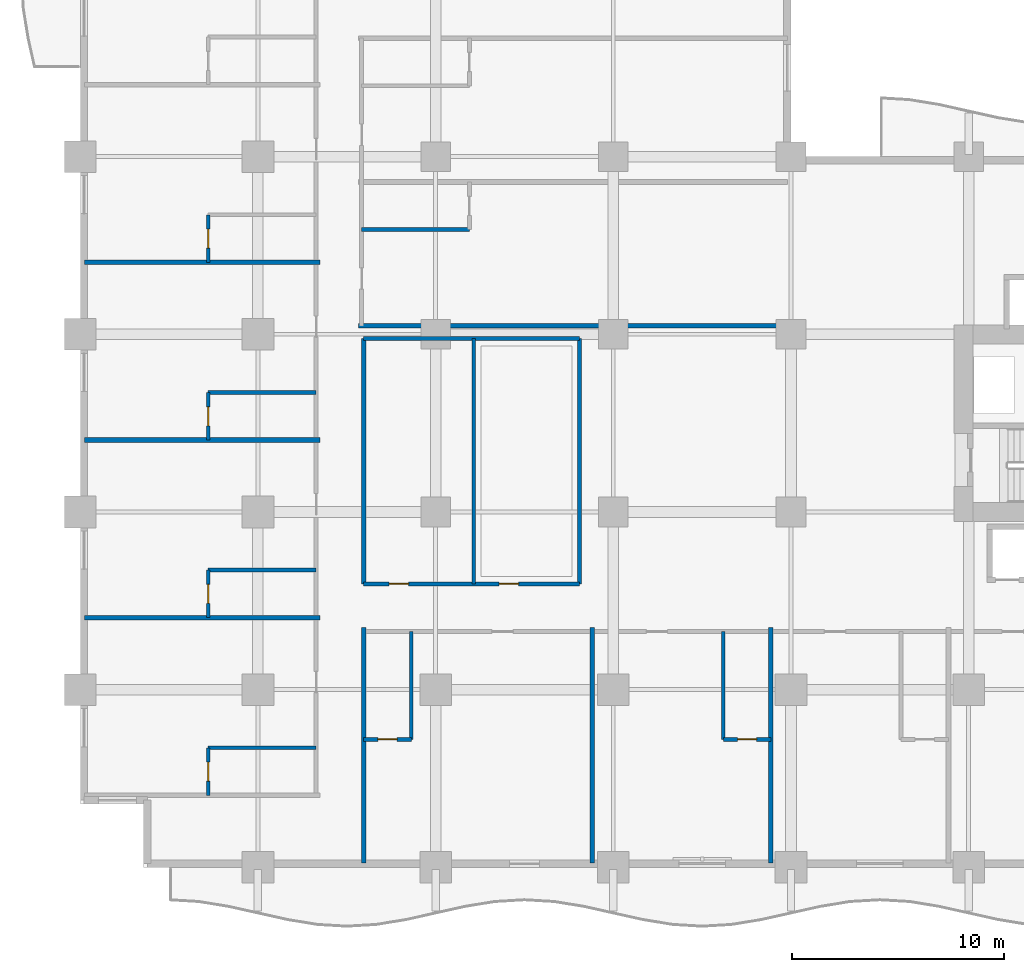
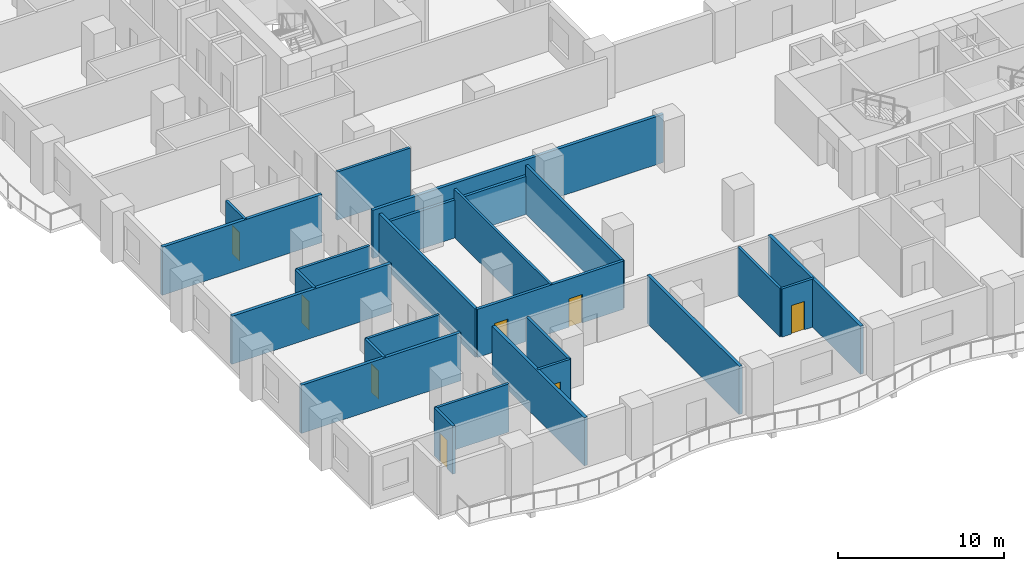
# One storey, part 10 of 26: 24 walls, 8 doors, 8 openings.
"""IFC4 building model written with IfcOpenShell, lengths in metres."""

from ifc_helpers import new_model, si_unit, direction, frame, frame_2d, origin, place, context, subcontext, project, spatial, rectangle, extrude, material, layer, layer_set, type_object, element, fill, save


model = new_model("IFC4")

# Units and contexts
model_context = context("Model", 3, precision=1e-05, world=origin(), true_north=direction((0.0, 1.0)))
body_context = subcontext(model_context, "Body", "Model", "MODEL_VIEW")
ifc_project = project(units=[si_unit("LENGTHUNIT", "METRE"), si_unit("AREAUNIT", "SQUARE_METRE"), si_unit("VOLUMEUNIT", "CUBIC_METRE"), si_unit("PLANEANGLEUNIT", "RADIAN"), si_unit("MASSUNIT", "GRAM", prefix="KILO")], contexts=[model_context])

# Site, building, storey
site_placement = place(None, origin())
site = spatial("IfcSite", under=ifc_project, at=site_placement, CompositionType="ELEMENT")
building_placement = place(site_placement, origin())
building = spatial("IfcBuilding", under=site, at=building_placement, Name="Koriwani Terraces Tower", CompositionType="ELEMENT")
storey_placement = place(building_placement, frame((0.0, 0.0, 39.60009765625)))
storey = spatial("IfcBuildingStorey", under=building, at=storey_placement, Name="L08", CompositionType="ELEMENT", Elevation=39.60009765625)

# Wall, openings, doors
ifc_material_1 = material(Name="Autoclaved Cellular Concrete Blockwork", Category="masonry")
ifc_layer_1 = layer(ifc_material_1, 0.199951171875, Name="Autoclaved Cellular Concrete Blockwork")
ifc_layer_set_1 = layer_set([ifc_layer_1], Name="Autoclaved Cellular Concrete Blockwork")
wall_type_1 = type_object("IfcWallType", Name="WALL_CORRIDOR_200", PredefinedType="PARTITIONING", material=ifc_layer_set_1)
wall_1_placement = place(storey_placement, frame((13.39990234375, 13.39990234375, 0.0), z_axis=(0.0, 0.0, 1.0), x_axis=(1.0, 0.0, 0.0)))
wall_1 = element("IfcWall", 1, at=wall_1_placement, inside=storey, type_object=wall_type_1, Name="L08 Interior Wall WHK-L08-S", PredefinedType="PARTITIONING", context=body_context, shape_type="SweptSolid", body=[
    extrude(rectangle(XDim=10.2001953125, YDim=0.199951171875, at=frame_2d((5.10009765625, 0.0))), origin(), (0.0, 0.0, 1.0), 3.5498046875),
])
opening_1_placement = place(wall_1_placement, frame((1.199951171875, 0.0, 0.0)))
opening_1 = element("IfcOpeningElement", 2, at=opening_1_placement, cuts=wall_1, Name="Opening D-06", PredefinedType="OPENING", context=body_context, shape_type="SweptSolid", body=[
    extrude(rectangle(XDim=0.919921875, YDim=2.10009765625, at=frame_2d((0.4599609375, 1.050048828125))), frame((0.0, 0.10986328125, 0.0), z_axis=(0.0, -1.0, 0.0), x_axis=(1.0, 0.0, 0.0)), (0.0, 0.0, 1.0), 0.219970703125),
])
opening_2_placement = place(wall_1_placement, frame((6.39990234375, 0.0, 0.0)))
opening_2 = element("IfcOpeningElement", 3, at=opening_2_placement, cuts=wall_1, Name="Opening D-06", PredefinedType="OPENING", context=body_context, shape_type="SweptSolid", body=[
    extrude(rectangle(XDim=0.919921875, YDim=2.10009765625, at=frame_2d((0.4599609375, 1.050048828125))), frame((0.0, 0.10986328125, 0.0), z_axis=(0.0, -1.0, 0.0), x_axis=(1.0, 0.0, 0.0)), (0.0, 0.0, 1.0), 0.219970703125),
])
ifc_material_2 = material(Name="Architectural Oak Fire Door", Category="wood")
door_type_1 = type_object("IfcDoorType", Name="DOOR_ROOM_INT_920X2100", OperationType="NOTDEFINED", PredefinedType="DOOR", material=ifc_material_2)
door_1_placement = place(opening_1_placement, origin())
door_1 = element("IfcDoor", 4, at=door_1_placement, inside=storey, type_object=door_type_1, Name="L08 Housekeeping and Linen Room Door", OperationType="SINGLE_SWING_RIGHT", OverallHeight=2.10009765625, OverallWidth=0.919921875, PredefinedType="DOOR", context=body_context, shape_type="SweptSolid", body=[
    extrude(rectangle(XDim=0.919921875, YDim=2.10009765625, at=frame_2d((0.4599609375, 1.050048828125))), frame((0.0, 0.02490234375, 0.0), z_axis=(0.0, -1.0, 0.0), x_axis=(1.0, 0.0, 0.0)), (0.0, 0.0, 1.0), 0.050048828125),
])
fill(opening_1, door_1)
door_2_placement = place(opening_2_placement, origin())
door_2 = element("IfcDoor", 5, at=door_2_placement, inside=storey, type_object=door_type_1, Name="L08 Guest Study Lounge Door", OperationType="SINGLE_SWING_LEFT", OverallHeight=2.10009765625, OverallWidth=0.919921875, PredefinedType="DOOR", context=body_context, shape_type="SweptSolid", body=[
    extrude(rectangle(XDim=0.919921875, YDim=2.10009765625, at=frame_2d((0.4599609375, 1.050048828125))), frame((0.0, 0.02490234375, 0.0), z_axis=(0.0, -1.0, 0.0), x_axis=(1.0, 0.0, 0.0)), (0.0, 0.0, 1.0), 0.050048828125),
])
fill(opening_2, door_2)

# Walls
wall_2_placement = place(storey_placement, frame((13.39990234375, 25.0, 0.0), z_axis=(0.0, 0.0, 1.0), x_axis=(1.0, 0.0, 0.0)))
element("IfcWall", 6, at=wall_2_placement, inside=storey, type_object=wall_type_1, Name="L08 Interior Wall WHK-L08-N", PredefinedType="PARTITIONING", context=body_context, shape_type="SweptSolid", body=[
    extrude(rectangle(XDim=10.2001953125, YDim=0.199951171875, at=frame_2d((5.10009765625, 0.0))), origin(), (0.0, 0.0, 1.0), 2.7998046875),
])
for number, where, z_axis, x_axis, name in (
    (7, (13.39990234375, 13.39990234375, 0.0), (0.0, 0.0, 1.0), (0.0, 1.0, 0.0), "L08 Interior Wall WHK-L08-W"),
    (8, (23.60009765625, 13.39990234375, 0.0), (0.0, 0.0, 1.0), (0.0, 1.0, 0.0), "L08 Interior Wall WHK-L08-E"),
):
    element("IfcWall", number, at=place(storey_placement, frame(where, z_axis=z_axis, x_axis=x_axis)), inside=storey, type_object=wall_type_1, Name=name, PredefinedType="PARTITIONING", context=body_context, shape_type="SweptSolid", body=[
        extrude(rectangle(XDim=11.60009765625, YDim=0.199951171875, at=frame_2d((5.800048828125, 0.0))), origin(), (0.0, 0.0, 1.0), 3.5498046875),
    ])
ifc_layer_2 = layer(ifc_material_1, 0.219970703125, Name="Autoclaved Cellular Concrete Blockwork")
ifc_layer_set_2 = layer_set([ifc_layer_2], Name="Autoclaved Cellular Concrete Blockwork")
wall_type_2 = type_object("IfcWallType", Name="WALL_DEMISING_220", PredefinedType="PARTITIONING", material=ifc_layer_set_2)
wall_3_placement = place(storey_placement, frame((13.14990234375, 25.60009765625, 0.0), z_axis=(0.0, 0.0, 1.0), x_axis=(1.0, 0.0, 0.0)))
element("IfcWall", 9, at=wall_3_placement, inside=storey, type_object=wall_type_2, Name="L08 Interior Wall WDEM-L08-NWI-0", PredefinedType="PARTITIONING", context=body_context, shape_type="SweptSolid", body=[
    extrude(rectangle(XDim=20.280029296875, YDim=0.219970703125, at=frame_2d((10.14013671875, 0.0))), origin(), (0.0, 0.0, 1.0), 3.5498046875),
])
for number, where, z_axis, x_axis, name in (
    (10, (0.199951171875, 11.800048828125, 0.0), (0.0, 0.0, 1.0), (1.0, 0.0, 0.0), "L08 Interior Wall WDEM-L08-NW-1"),
    (11, (0.199951171875, 20.199951171875, 0.0), (0.0, 0.0, 1.0), (1.0, 0.0, 0.0), "L08 Interior Wall WDEM-L08-NW-2"),
    (12, (0.199951171875, 28.60009765625, 0.0), (0.0, 0.0, 1.0), (1.0, 0.0, 0.0), "L08 Interior Wall WDEM-L08-NW-3"),
    (13, (13.39990234375, 0.199951171875, 0.0), (0.0, 0.0, 1.0), (0.0, 1.0, 0.0), "L08 Interior Wall WDEM-L08-SW-0"),
    (14, (24.199951171875, 0.199951171875, 0.0), (0.0, 0.0, 1.0), (0.0, 1.0, 0.0), "L08 Interior Wall WDEM-L08-SW-1"),
    (15, (32.64990234375, 0.199951171875, 0.0), (0.0, 0.0, 1.0), (0.0, 1.0, 0.0), "L08 Interior Wall WDEM-L08-SW-2"),
):
    element("IfcWall", number, at=place(storey_placement, frame(where, z_axis=z_axis, x_axis=x_axis)), inside=storey, type_object=wall_type_2, Name=name, PredefinedType="PARTITIONING", context=body_context, shape_type="SweptSolid", body=[
        extrude(rectangle(XDim=11.130126953125, YDim=0.219970703125, at=frame_2d((5.56494140625, 0.0))), origin(), (0.0, 0.0, 1.0), 3.5498046875),
    ])
ifc_material_3 = material(Name="Fire-Rated Acoustic Gypsum Partition", Category="masonry")
ifc_layer_3 = layer(ifc_material_3, 0.179931640625, Name="Fire-Rated Acoustic Gypsum Partition")
ifc_layer_set_3 = layer_set([ifc_layer_3], Name="Fire-Rated Acoustic Gypsum Partition")
wall_type_3 = type_object("IfcWallType", Name="WALL_PLUMBING_180", PredefinedType="PLUMBINGWALL", material=ifc_layer_set_3)
wall_4_placement = place(storey_placement, frame((13.300048828125, 30.14990234375, 0.0), z_axis=(0.0, 0.0, 1.0), x_axis=(1.0, 0.0, 0.0)))
element("IfcWall", 16, at=wall_4_placement, inside=storey, type_object=wall_type_3, Name="L08 Interior Wall WBTH2-L08-NWI-0", PredefinedType="PLUMBINGWALL", context=body_context, shape_type="SweptSolid", body=[
    extrude(rectangle(XDim=5.099853515625, YDim=0.179931640625, at=frame_2d((2.5498046875, 0.0))), origin(), (0.0, 0.0, 1.0), 3.5498046875),
])

# Wall, opening, door
wall_5_placement = place(storey_placement, frame((6.050048828125, 3.39990234375, 0.0), z_axis=(0.0, 0.0, 1.0), x_axis=(0.0, 1.0, 0.0)))
wall_5 = element("IfcWall", 17, at=wall_5_placement, inside=storey, type_object=wall_type_3, Name="L08 Interior Wall WBTH1-L08-NW-0", PredefinedType="PLUMBINGWALL", context=body_context, shape_type="SweptSolid", body=[
    extrude(rectangle(XDim=2.25, YDim=0.179931640625, at=frame_2d((1.125, 0.0))), origin(), (0.0, 0.0, 1.0), 3.5498046875),
])
opening_3_placement = place(wall_5_placement, frame((0.675048828125, 0.0, 0.0)))
opening_3 = element("IfcOpeningElement", 18, at=opening_3_placement, cuts=wall_5, Name="Opening D-07", PredefinedType="OPENING", context=body_context, shape_type="SweptSolid", body=[
    extrude(rectangle(XDim=0.89990234375, YDim=2.10009765625, at=frame_2d((0.449951171875, 1.050048828125))), frame((0.0, 0.10009765625, 0.0), z_axis=(0.0, -1.0, 0.0), x_axis=(1.0, 0.0, 0.0)), (0.0, 0.0, 1.0), 0.199951171875),
])
door_type_2 = type_object("IfcDoorType", Name="DOOR_BATH_INT_900X2100", OperationType="NOTDEFINED", PredefinedType="DOOR", material=ifc_material_2)
door_3_placement = place(opening_3_placement, origin())
door_3 = element("IfcDoor", 19, at=door_3_placement, inside=storey, type_object=door_type_2, Name="En-Suite Bathroom 08NW1 Door", OperationType="SINGLE_SWING_LEFT", OverallHeight=2.10009765625, OverallWidth=0.89990234375, PredefinedType="DOOR", context=body_context, shape_type="SweptSolid", body=[
    extrude(rectangle(XDim=0.89990234375, YDim=2.10009765625, at=frame_2d((0.449951171875, 1.050048828125))), frame((0.0, 0.02490234375, 0.0), z_axis=(0.0, -1.0, 0.0), x_axis=(1.0, 0.0, 0.0)), (0.0, 0.0, 1.0), 0.050048828125),
])
fill(opening_3, door_3)

# Wall
wall_6_placement = place(storey_placement, frame((6.050048828125, 5.64990234375, 0.0), z_axis=(0.0, 0.0, 1.0), x_axis=(1.0, 0.0, 0.0)))
element("IfcWall", 20, at=wall_6_placement, inside=storey, type_object=wall_type_3, Name="L08 Interior Wall WBTH2-L08-NW-0", PredefinedType="PLUMBINGWALL", context=body_context, shape_type="SweptSolid", body=[
    extrude(rectangle(XDim=5.099853515625, YDim=0.179931640625, at=frame_2d((2.5498046875, 0.0))), origin(), (0.0, 0.0, 1.0), 3.5498046875),
])

# Wall, opening, door
wall_7_placement = place(storey_placement, frame((6.050048828125, 11.800048828125, 0.0), z_axis=(0.0, 0.0, 1.0), x_axis=(0.0, 1.0, 0.0)))
wall_7 = element("IfcWall", 21, at=wall_7_placement, inside=storey, type_object=wall_type_3, Name="L08 Interior Wall WBTH1-L08-NW-1", PredefinedType="PLUMBINGWALL", context=body_context, shape_type="SweptSolid", body=[
    extrude(rectangle(XDim=2.25, YDim=0.179931640625, at=frame_2d((1.125, 0.0))), origin(), (0.0, 0.0, 1.0), 3.5498046875),
])
opening_4_placement = place(wall_7_placement, frame((0.675048828125, 0.0, 0.0)))
opening_4 = element("IfcOpeningElement", 22, at=opening_4_placement, cuts=wall_7, Name="Opening D-07", PredefinedType="OPENING", context=body_context, shape_type="SweptSolid", body=[
    extrude(rectangle(XDim=0.89990234375, YDim=2.10009765625, at=frame_2d((0.449951171875, 1.050048828125))), frame((0.0, 0.10009765625, 0.0), z_axis=(0.0, -1.0, 0.0), x_axis=(1.0, 0.0, 0.0)), (0.0, 0.0, 1.0), 0.199951171875),
])
door_4_placement = place(opening_4_placement, origin())
door_4 = element("IfcDoor", 23, at=door_4_placement, inside=storey, type_object=door_type_2, Name="En-Suite Bathroom 08NW2 Door", OperationType="SINGLE_SWING_LEFT", OverallHeight=2.10009765625, OverallWidth=0.89990234375, PredefinedType="DOOR", context=body_context, shape_type="SweptSolid", body=[
    extrude(rectangle(XDim=0.89990234375, YDim=2.10009765625, at=frame_2d((0.449951171875, 1.050048828125))), frame((0.0, 0.02490234375, 0.0), z_axis=(0.0, -1.0, 0.0), x_axis=(1.0, 0.0, 0.0)), (0.0, 0.0, 1.0), 0.050048828125),
])
fill(opening_4, door_4)

# Wall
wall_8_placement = place(storey_placement, frame((6.050048828125, 14.050048828125, 0.0), z_axis=(0.0, 0.0, 1.0), x_axis=(1.0, 0.0, 0.0)))
element("IfcWall", 24, at=wall_8_placement, inside=storey, type_object=wall_type_3, Name="L08 Interior Wall WBTH2-L08-NW-1", PredefinedType="PLUMBINGWALL", context=body_context, shape_type="SweptSolid", body=[
    extrude(rectangle(XDim=5.099853515625, YDim=0.179931640625, at=frame_2d((2.5498046875, 0.0))), origin(), (0.0, 0.0, 1.0), 3.5498046875),
])

# Wall, opening, door
wall_9_placement = place(storey_placement, frame((6.050048828125, 20.199951171875, 0.0), z_axis=(0.0, 0.0, 1.0), x_axis=(0.0, 1.0, 0.0)))
wall_9 = element("IfcWall", 25, at=wall_9_placement, inside=storey, type_object=wall_type_3, Name="L08 Interior Wall WBTH1-L08-NW-2", PredefinedType="PLUMBINGWALL", context=body_context, shape_type="SweptSolid", body=[
    extrude(rectangle(XDim=2.25, YDim=0.179931640625, at=frame_2d((1.125, 0.0))), origin(), (0.0, 0.0, 1.0), 3.5498046875),
])
opening_5_placement = place(wall_9_placement, frame((0.675048828125, 0.0, 0.0)))
opening_5 = element("IfcOpeningElement", 26, at=opening_5_placement, cuts=wall_9, Name="Opening D-07", PredefinedType="OPENING", context=body_context, shape_type="SweptSolid", body=[
    extrude(rectangle(XDim=0.89990234375, YDim=2.10009765625, at=frame_2d((0.449951171875, 1.050048828125))), frame((0.0, 0.10009765625, 0.0), z_axis=(0.0, -1.0, 0.0), x_axis=(1.0, 0.0, 0.0)), (0.0, 0.0, 1.0), 0.199951171875),
])
door_5_placement = place(opening_5_placement, origin())
door_5 = element("IfcDoor", 27, at=door_5_placement, inside=storey, type_object=door_type_2, Name="En-Suite Bathroom 08NW3 Door", OperationType="SINGLE_SWING_LEFT", OverallHeight=2.10009765625, OverallWidth=0.89990234375, PredefinedType="DOOR", context=body_context, shape_type="SweptSolid", body=[
    extrude(rectangle(XDim=0.89990234375, YDim=2.10009765625, at=frame_2d((0.449951171875, 1.050048828125))), frame((0.0, 0.02490234375, 0.0), z_axis=(0.0, -1.0, 0.0), x_axis=(1.0, 0.0, 0.0)), (0.0, 0.0, 1.0), 0.050048828125),
])
fill(opening_5, door_5)

# Wall
wall_10_placement = place(storey_placement, frame((6.050048828125, 22.449951171875, 0.0), z_axis=(0.0, 0.0, 1.0), x_axis=(1.0, 0.0, 0.0)))
element("IfcWall", 28, at=wall_10_placement, inside=storey, type_object=wall_type_3, Name="L08 Interior Wall WBTH2-L08-NW-2", PredefinedType="PLUMBINGWALL", context=body_context, shape_type="SweptSolid", body=[
    extrude(rectangle(XDim=5.099853515625, YDim=0.179931640625, at=frame_2d((2.5498046875, 0.0))), origin(), (0.0, 0.0, 1.0), 3.5498046875),
])

# Wall, opening, door
wall_11_placement = place(storey_placement, frame((6.050048828125, 28.60009765625, 0.0), z_axis=(0.0, 0.0, 1.0), x_axis=(0.0, 1.0, 0.0)))
wall_11 = element("IfcWall", 29, at=wall_11_placement, inside=storey, type_object=wall_type_3, Name="L08 Interior Wall WBTH1-L08-NW-3", PredefinedType="PLUMBINGWALL", context=body_context, shape_type="SweptSolid", body=[
    extrude(rectangle(XDim=2.25, YDim=0.179931640625, at=frame_2d((1.125, 0.0))), origin(), (0.0, 0.0, 1.0), 3.5498046875),
])
opening_6_placement = place(wall_11_placement, frame((0.675048828125, 0.0, 0.0)))
opening_6 = element("IfcOpeningElement", 30, at=opening_6_placement, cuts=wall_11, Name="Opening D-07", PredefinedType="OPENING", context=body_context, shape_type="SweptSolid", body=[
    extrude(rectangle(XDim=0.89990234375, YDim=2.10009765625, at=frame_2d((0.449951171875, 1.050048828125))), frame((0.0, 0.10009765625, 0.0), z_axis=(0.0, -1.0, 0.0), x_axis=(1.0, 0.0, 0.0)), (0.0, 0.0, 1.0), 0.199951171875),
])
door_6_placement = place(opening_6_placement, origin())
door_6 = element("IfcDoor", 31, at=door_6_placement, inside=storey, type_object=door_type_2, Name="En-Suite Bathroom 08NW4 Door", OperationType="SINGLE_SWING_LEFT", OverallHeight=2.10009765625, OverallWidth=0.89990234375, PredefinedType="DOOR", context=body_context, shape_type="SweptSolid", body=[
    extrude(rectangle(XDim=0.89990234375, YDim=2.10009765625, at=frame_2d((0.449951171875, 1.050048828125))), frame((0.0, 0.02490234375, 0.0), z_axis=(0.0, -1.0, 0.0), x_axis=(1.0, 0.0, 0.0)), (0.0, 0.0, 1.0), 0.050048828125),
])
fill(opening_6, door_6)

wall_12_placement = place(storey_placement, frame((13.39990234375, 6.050048828125, 0.0), z_axis=(0.0, 0.0, 1.0), x_axis=(1.0, 0.0, 0.0)))
wall_12 = element("IfcWall", 32, at=wall_12_placement, inside=storey, type_object=wall_type_3, Name="L08 Interior Wall WBTH1-L08-SW-0", PredefinedType="PLUMBINGWALL", context=body_context, shape_type="SweptSolid", body=[
    extrude(rectangle(XDim=2.25, YDim=0.179931640625, at=frame_2d((1.125, 0.0))), origin(), (0.0, 0.0, 1.0), 3.5498046875),
])
opening_7_placement = place(wall_12_placement, frame((0.675048828125, 0.0, 0.0)))
opening_7 = element("IfcOpeningElement", 33, at=opening_7_placement, cuts=wall_12, Name="Opening D-07", PredefinedType="OPENING", context=body_context, shape_type="SweptSolid", body=[
    extrude(rectangle(XDim=0.89990234375, YDim=2.10009765625, at=frame_2d((0.449951171875, 1.050048828125))), frame((0.0, 0.10009765625, 0.0), z_axis=(0.0, -1.0, 0.0), x_axis=(1.0, 0.0, 0.0)), (0.0, 0.0, 1.0), 0.199951171875),
])
door_7_placement = place(opening_7_placement, origin())
door_7 = element("IfcDoor", 34, at=door_7_placement, inside=storey, type_object=door_type_2, Name="En-Suite Bathroom 08SW1 Door", OperationType="SINGLE_SWING_LEFT", OverallHeight=2.10009765625, OverallWidth=0.89990234375, PredefinedType="DOOR", context=body_context, shape_type="SweptSolid", body=[
    extrude(rectangle(XDim=0.89990234375, YDim=2.10009765625, at=frame_2d((0.449951171875, 1.050048828125))), frame((0.0, 0.02490234375, 0.0), z_axis=(0.0, -1.0, 0.0), x_axis=(1.0, 0.0, 0.0)), (0.0, 0.0, 1.0), 0.050048828125),
])
fill(opening_7, door_7)

# Wall
wall_13_placement = place(storey_placement, frame((15.64990234375, 6.050048828125, 0.0), z_axis=(0.0, 0.0, 1.0), x_axis=(0.0, 1.0, 0.0)))
element("IfcWall", 35, at=wall_13_placement, inside=storey, type_object=wall_type_3, Name="L08 Interior Wall WBTH2-L08-SW-0", PredefinedType="PLUMBINGWALL", context=body_context, shape_type="SweptSolid", body=[
    extrude(rectangle(XDim=5.099853515625, YDim=0.179931640625, at=frame_2d((2.5498046875, 0.0))), origin(), (0.0, 0.0, 1.0), 3.5498046875),
])

# Wall, opening, door
wall_14_placement = place(storey_placement, frame((30.39990234375, 6.050048828125, 0.0), z_axis=(0.0, 0.0, 1.0), x_axis=(1.0, 0.0, 0.0)))
wall_14 = element("IfcWall", 36, at=wall_14_placement, inside=storey, type_object=wall_type_3, Name="L08 Interior Wall WBTH1-L08-SW-1", PredefinedType="PLUMBINGWALL", context=body_context, shape_type="SweptSolid", body=[
    extrude(rectangle(XDim=2.25, YDim=0.179931640625, at=frame_2d((1.125, 0.0))), origin(), (0.0, 0.0, 1.0), 3.5498046875),
])
opening_8_placement = place(wall_14_placement, frame((0.675048828125, 0.0, 0.0)))
opening_8 = element("IfcOpeningElement", 37, at=opening_8_placement, cuts=wall_14, Name="Opening D-07", PredefinedType="OPENING", context=body_context, shape_type="SweptSolid", body=[
    extrude(rectangle(XDim=0.89990234375, YDim=2.10009765625, at=frame_2d((0.449951171875, 1.050048828125))), frame((0.0, 0.10009765625, 0.0), z_axis=(0.0, -1.0, 0.0), x_axis=(1.0, 0.0, 0.0)), (0.0, 0.0, 1.0), 0.199951171875),
])
door_8_placement = place(opening_8_placement, origin())
door_8 = element("IfcDoor", 38, at=door_8_placement, inside=storey, type_object=door_type_2, Name="En-Suite Bathroom 08SW2 Door", OperationType="SINGLE_SWING_LEFT", OverallHeight=2.10009765625, OverallWidth=0.89990234375, PredefinedType="DOOR", context=body_context, shape_type="SweptSolid", body=[
    extrude(rectangle(XDim=0.89990234375, YDim=2.10009765625, at=frame_2d((0.449951171875, 1.050048828125))), frame((0.0, 0.02490234375, 0.0), z_axis=(0.0, -1.0, 0.0), x_axis=(1.0, 0.0, 0.0)), (0.0, 0.0, 1.0), 0.050048828125),
])
fill(opening_8, door_8)

# Walls
wall_15_placement = place(storey_placement, frame((30.39990234375, 6.050048828125, 0.0), z_axis=(0.0, 0.0, 1.0), x_axis=(0.0, 1.0, 0.0)))
element("IfcWall", 39, at=wall_15_placement, inside=storey, type_object=wall_type_3, Name="L08 Interior Wall WBTH2-L08-SW-1", PredefinedType="PLUMBINGWALL", context=body_context, shape_type="SweptSolid", body=[
    extrude(rectangle(XDim=5.099853515625, YDim=0.179931640625, at=frame_2d((2.5498046875, 0.0))), origin(), (0.0, 0.0, 1.0), 3.5498046875),
])
ifc_layer_4 = layer(ifc_material_3, 0.159912109375, Name="Fire-Rated Acoustic Gypsum Partition")
ifc_layer_set_4 = layer_set([ifc_layer_4], Name="Fire-Rated Acoustic Gypsum Partition")
wall_type_4 = type_object("IfcWallType", Name="WALL_SUITE_160", PredefinedType="PARTITIONING", material=ifc_layer_set_4)
wall_16_placement = place(storey_placement, frame((18.60009765625, 13.39990234375, 0.0), z_axis=(0.0, 0.0, 1.0), x_axis=(0.0, 1.0, 0.0)))
element("IfcWall", 40, at=wall_16_placement, inside=storey, type_object=wall_type_4, Name="L08 Interior Wall WHK-L08-M", PredefinedType="PARTITIONING", context=body_context, shape_type="SweptSolid", body=[
    extrude(rectangle(XDim=11.60009765625, YDim=0.159912109375, at=frame_2d((5.800048828125, 0.0))), origin(), (0.0, 0.0, 1.0), 3.5498046875),
])

save(model, "model.ifc")
